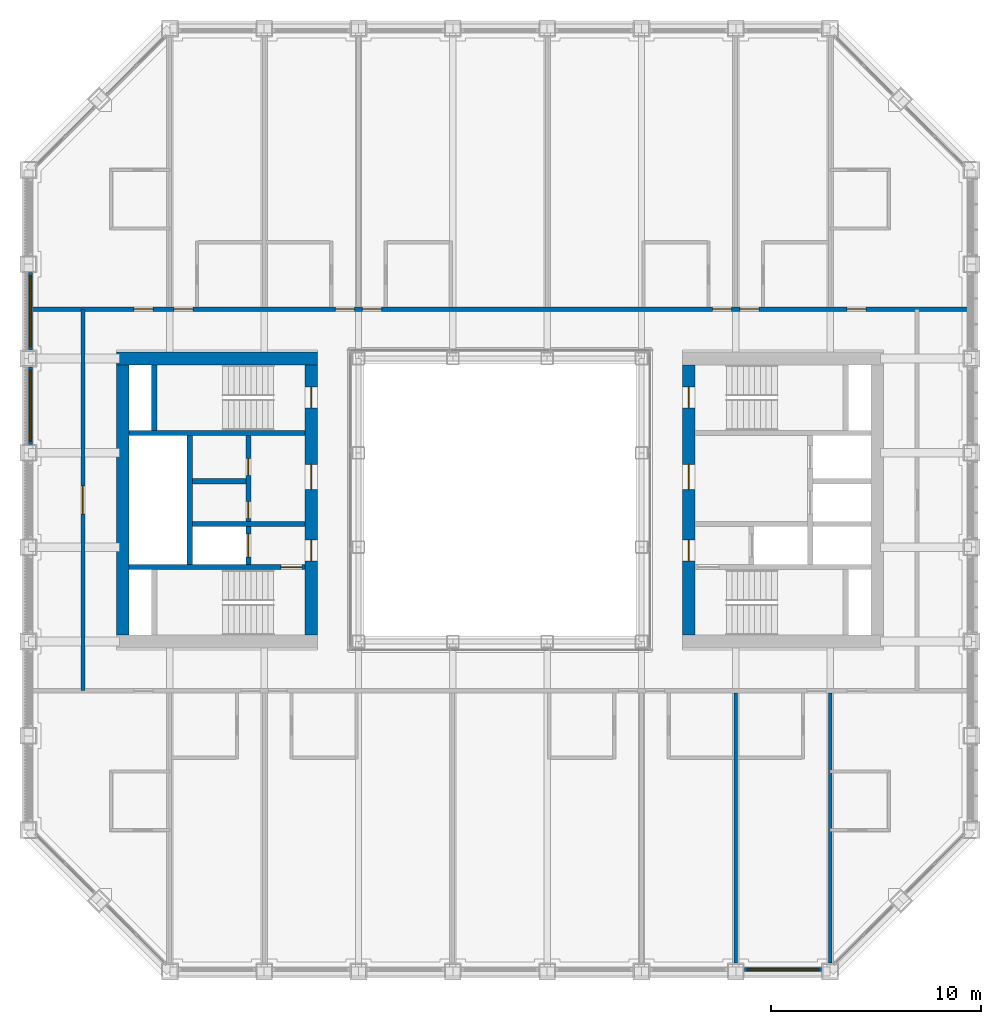
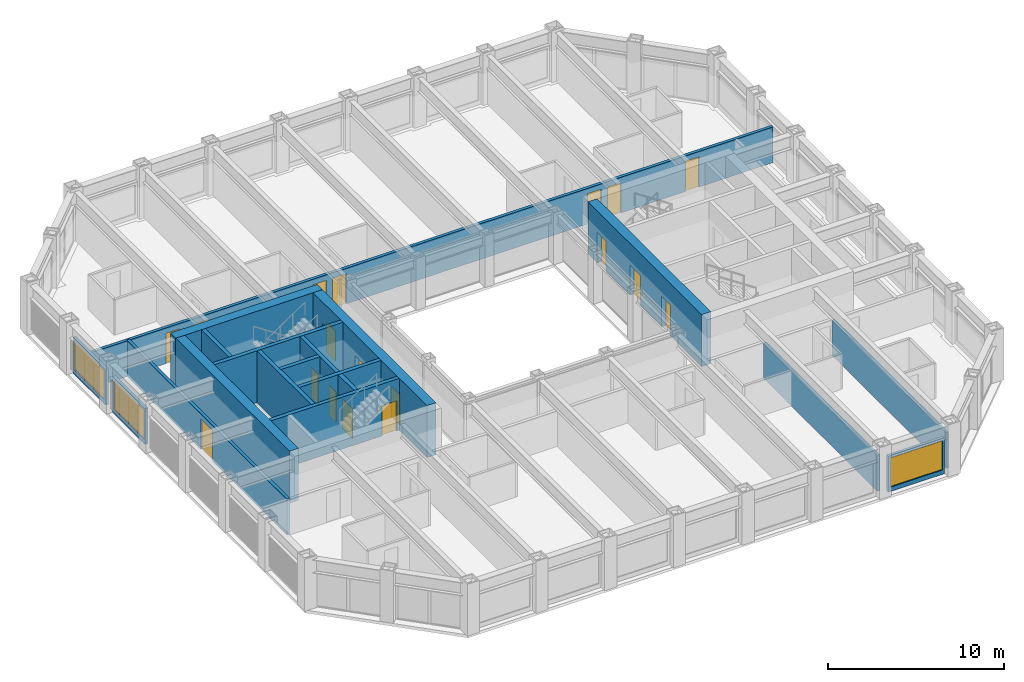
# One storey, part 11 of 17: 18 doors, 18 walls, 3 windows, 21 openings.
"""IFC4 building model written with IfcOpenShell, lengths in metres."""

import ifcopenshell
import ifcopenshell.guid

model = None  # the IFC model being written
_history = None  # IfcOwnerHistory: only IFC2X3 demands one
_inside = {}  # id of a spatial element -> (the spatial element, [elements in it])
_under = {}  # id of a project, library or spatial element -> (it, [spatial elements below it])
_declared = {}  # id of a project -> (the project, [libraries it declares])
_typed = {}  # id of a type object -> (the type object, [elements of that type])
_made_of = {}  # id of a material, layer set ... -> (it, [elements and type objects made of it])


def new_model(schema):
    """Start an empty IFC model of exactly this schema.

    Asked for "IFC4X3", IfcOpenShell would pick the latest addendum, in which some entities
    have other attributes; the version numbers below select the first issue.
    IFC2X3 requires an IfcOwnerHistory on every rooted entity: one is made here for all.
    """
    global model, _history
    if schema == "IFC4X3":
        model = ifcopenshell.file(schema_version=(4, 3, 0, 0))
    else:
        model = ifcopenshell.file(schema=schema)
    _inside.clear()
    _under.clear()
    _declared.clear()
    _typed.clear()
    _made_of.clear()
    _history = None
    if model.schema == "IFC2X3":
        org = make("IfcOrganization", Name="unknown")
        user = make(
            "IfcPersonAndOrganization",
            ThePerson=make("IfcPerson", FamilyName="unknown"),
            TheOrganization=org,
        )
        app = make(
            "IfcApplication",
            ApplicationDeveloper=org,
            Version="unknown",
            ApplicationFullName="unknown",
            ApplicationIdentifier="unknown",
        )
        _history = make(
            "IfcOwnerHistory",
            OwningUser=user,
            OwningApplication=app,
            ChangeAction="ADDED",
            CreationDate=0,
        )
    return model


def make(cls, **values):
    """One entity of the class cls with the attributes given. An attribute that is None is left unset."""
    return model.create_entity(
        cls, **{name: value for name, value in values.items() if value is not None}
    )


def rooted(cls, **values):
    """An entity with a GlobalId (a new one), such as an element, a storey or a relation."""
    return make(cls, GlobalId=ifcopenshell.guid.new(), OwnerHistory=_history, **values)


def si_unit(unit_type, name, prefix=None):
    """IfcSIUnit, for example si_unit("LENGTHUNIT", "METRE", prefix="MILLI")."""
    return make("IfcSIUnit", UnitType=unit_type, Prefix=prefix, Name=name)


def assignment(units):
    """IfcUnitAssignment: the units of a project."""
    return None if units is None else make("IfcUnitAssignment", Units=units)


def point(xyz):
    """IfcCartesianPoint."""
    return None if xyz is None else make("IfcCartesianPoint", Coordinates=xyz)


def direction(xyz):
    """IfcDirection."""
    return None if xyz is None else make("IfcDirection", DirectionRatios=xyz)


def frame(location, z_axis=None, x_axis=None):
    """IfcAxis2Placement3D, a coordinate frame: its origin and axes. An axis left out is left unset."""
    return make(
        "IfcAxis2Placement3D",
        Location=point(location),
        Axis=direction(z_axis),
        RefDirection=direction(x_axis),
    )


def frame_2d(location, x_axis=None):
    """IfcAxis2Placement2D, a coordinate frame in the plane: its origin and x axis."""
    return make(
        "IfcAxis2Placement2D", Location=point(location), RefDirection=direction(x_axis)
    )


def origin():
    """The frame at (0, 0, 0) with its axes left unset."""
    return frame((0.0, 0.0, 0.0))


def place(relative_to, where):
    """IfcLocalPlacement: puts the frame where relative to a parent placement (None: the world)."""
    return make(
        "IfcLocalPlacement", PlacementRelTo=relative_to, RelativePlacement=where
    )


def context(
    kind, dimensions, precision=None, world=None, true_north=None, identifier=None
):
    """IfcGeometricRepresentationContext, for example the 3D "Model" context."""
    return make(
        "IfcGeometricRepresentationContext",
        ContextIdentifier=identifier,
        ContextType=kind,
        CoordinateSpaceDimension=dimensions,
        Precision=precision,
        WorldCoordinateSystem=world,
        TrueNorth=true_north,
    )


def subcontext(parent, identifier, kind, view, scale=None):
    """IfcGeometricRepresentationSubContext, for example "Body" below "Model"."""
    return make(
        "IfcGeometricRepresentationSubContext",
        ContextIdentifier=identifier,
        ContextType=kind,
        ParentContext=parent,
        TargetScale=scale,
        TargetView=view,
    )


def project(units=None, contexts=None):
    """IfcProject with its units and contexts."""
    return rooted(
        "IfcProject",
        Name="project",
        RepresentationContexts=contexts,
        UnitsInContext=assignment(units),
    )


def spatial(cls, under=None, at=None, **own):
    """A site, building, storey or space (cls), placed at a placement, below another one or the project."""
    s = rooted(cls, ObjectPlacement=at, **own)
    if under is not None:
        _under.setdefault(under.id(), (under, []))[1].append(s)
    return s


def profile(cls, at=None, kind="AREA", **sizes):
    """A parametric profile (cls). Its sizes go by their IFC names, for example OverallWidth=200.0."""
    return make(cls, ProfileType=kind, Position=at, **sizes)


def rectangle(**sizes):
    """IfcRectangleProfileDef."""
    return profile("IfcRectangleProfileDef", **sizes)


def extrude(swept, where, along, depth):
    """IfcExtrudedAreaSolid: the profile swept, set in the frame where, extruded along a direction by depth."""
    return make(
        "IfcExtrudedAreaSolid",
        SweptArea=swept,
        Position=where,
        ExtrudedDirection=direction(along),
        Depth=depth,
    )


def shape(context_of_items, identifier, shape_type, items):
    """IfcShapeRepresentation: the items that make up one representation, for example the "Body"."""
    return make(
        "IfcShapeRepresentation",
        ContextOfItems=context_of_items,
        RepresentationIdentifier=identifier,
        RepresentationType=shape_type,
        Items=items,
    )


def material(Name=None, Category=None):
    """IfcMaterial."""
    return make("IfcMaterial", Name=Name, Category=Category)


def layer(
    of_material, thickness, ventilated=None, Name=None, Category=None, Priority=None
):
    """IfcMaterialLayer: one layer of a wall or slab, of a material (None: an air gap)."""
    return make(
        "IfcMaterialLayer",
        Material=of_material,
        LayerThickness=thickness,
        IsVentilated=ventilated,
        Name=Name,
        Category=Category,
        Priority=Priority,
    )


def layer_set(layers, Name=None):
    """IfcMaterialLayerSet."""
    return make("IfcMaterialLayerSet", MaterialLayers=layers, LayerSetName=Name)


def made_of(thing, what):
    """Note that an element or type object is made of a material, layer set ...; save() writes the relation."""
    if what is not None:
        _made_of.setdefault(what.id(), (what, []))[1].append(thing)
    return thing


def type_object(cls, material=None, **own):
    """A type object (cls), such as IfcWallType, which elements share."""
    return made_of(rooted(cls, **own), material)


def element(
    cls,
    number,
    at=None,
    inside=None,
    cuts=None,
    type_object=None,
    material=None,
    context=None,
    identifier="Body",
    shape_type=None,
    held_by="IfcProductDefinitionShape",
    body=None,
    shapes=None,
    **own,
):
    """One element of the class cls, such as IfcWall. Its Tag is "e" and its number.

    at: its placement. inside: the storey or other place that contains it. cuts: it is an
    opening in that element (IfcRelVoidsElement). A single representation is given by context,
    identifier, shape_type and body (its items); several are given by shapes. held_by: the class
    of the entity that holds the representations. save() writes the other relations.
    """
    e = rooted(cls, Tag="e%d" % number, ObjectPlacement=at, **own)
    if body is not None:
        shapes = [shape(context, identifier, shape_type, body)]
    if shapes is not None:
        e.Representation = make(held_by, Representations=shapes)
    if inside is not None:
        _inside.setdefault(inside.id(), (inside, []))[1].append(e)
    if cuts is not None:
        rooted(
            "IfcRelVoidsElement", RelatingBuildingElement=cuts, RelatedOpeningElement=e
        )
    if type_object is not None:
        _typed.setdefault(type_object.id(), (type_object, []))[1].append(e)
    return made_of(e, material)


def fill(opening, filler):
    """IfcRelFillsElement: the door or window that sits in an opening."""
    return rooted(
        "IfcRelFillsElement",
        RelatingOpeningElement=opening,
        RelatedBuildingElement=filler,
    )


def aggregate(whole, parts):
    """IfcRelAggregates: a whole, such as a stair, and the parts it consists of."""
    return rooted("IfcRelAggregates", RelatingObject=whole, RelatedObjects=parts)


def save(model, path):
    """Write the relations noted so far, then the file.

    IfcRelAggregates (storeys below a building ...), IfcRelContainedInSpatialStructure (elements
    in a storey), IfcRelDefinesByType, IfcRelAssociatesMaterial and IfcRelDeclares: one each for
    every whole, place, type object, material and project.
    """
    for whole, parts in _under.values():
        aggregate(whole, parts)
    for where, things in _inside.values():
        rooted(
            "IfcRelContainedInSpatialStructure",
            RelatedElements=things,
            RelatingStructure=where,
        )
    for kind, things in _typed.values():
        rooted("IfcRelDefinesByType", RelatedObjects=things, RelatingType=kind)
    for what, things in _made_of.values():
        rooted("IfcRelAssociatesMaterial", RelatedObjects=things, RelatingMaterial=what)
    for by, libraries in _declared.values():
        rooted("IfcRelDeclares", RelatingContext=by, RelatedDefinitions=libraries)
    model.write(path)


model = new_model("IFC4")

# Units and contexts
model_context = context("Model", 3, precision=1e-05, world=origin(), true_north=direction((0.0, 1.0)))
body_context = subcontext(model_context, "Body", "Model", "MODEL_VIEW")
ifc_project = project(units=[si_unit("LENGTHUNIT", "METRE"), si_unit("AREAUNIT", "SQUARE_METRE"), si_unit("VOLUMEUNIT", "CUBIC_METRE"), si_unit("PLANEANGLEUNIT", "RADIAN"), si_unit("MASSUNIT", "GRAM", prefix="KILO")], contexts=[model_context])

# Site, building, storey
site_placement = place(None, origin())
site = spatial("IfcSite", under=ifc_project, at=site_placement, CompositionType="ELEMENT")
building_placement = place(site_placement, origin())
building = spatial("IfcBuilding", under=site, at=building_placement, Name="Msasa Ring Tower", CompositionType="ELEMENT")
storey_placement = place(building_placement, frame((0.0, 0.0, 129.199951171875)))
storey = spatial("IfcBuildingStorey", under=building, at=storey_placement, Name="L33", CompositionType="ELEMENT", Elevation=129.199951171875)

# Wall, openings, doors
ifc_material_1 = material(Name="Concrete C60/75", Category="concrete")
ifc_layer_1 = layer(ifc_material_1, 0.60009765625)
ifc_layer_set_1 = layer_set([ifc_layer_1], Name="CW2 CORE WALL 600")
wall_type_1 = type_object("IfcWallType", Name="CW2 CORE WALL 600", PredefinedType="SHEAR", material=ifc_layer_set_1)
wall_1_placement = place(storey_placement, frame((9.0, -6.449951171875, 0.0), z_axis=(0.0, 0.0, 1.0), x_axis=(0.0, 1.0, 0.0)))
wall_1 = element("IfcWall", 1, at=wall_1_placement, inside=storey, type_object=wall_type_1, Name="E core wall W L33", PredefinedType="SHEAR", context=body_context, shape_type="SweptSolid", body=[
    extrude(rectangle(XDim=12.89990234375, YDim=0.60009765625, at=frame_2d((6.449951171875, 0.0))), origin(), (0.0, 0.0, 1.0), 3.60009765625),
])
opening_1_placement = place(wall_1_placement, frame((3.550048828125, 0.0, 0.0)))
opening_1 = element("IfcOpeningElement", 2, at=opening_1_placement, cuts=wall_1, Name="Opening HB-024", PredefinedType="OPENING", context=body_context, shape_type="SweptSolid", body=[
    extrude(rectangle(XDim=1.0, YDim=2.10009765625, at=frame_2d((0.5, 1.050048828125))), frame((0.0, 0.31005859375, 0.0), z_axis=(0.0, -1.0, 0.0), x_axis=(1.0, 0.0, 0.0)), (0.0, 0.0, 1.0), 0.6201171875),
])
opening_2_placement = place(wall_1_placement, frame((6.949951171875, 0.0, 0.0)))
opening_2 = element("IfcOpeningElement", 3, at=opening_2_placement, cuts=wall_1, Name="Opening HB-019", PredefinedType="OPENING", context=body_context, shape_type="SweptSolid", body=[
    extrude(rectangle(XDim=1.199951171875, YDim=2.10009765625, at=frame_2d((0.60009765625, 1.050048828125))), frame((0.0, 0.31005859375, 0.0), z_axis=(0.0, -1.0, 0.0), x_axis=(1.0, 0.0, 0.0)), (0.0, 0.0, 1.0), 0.6201171875),
])
opening_3_placement = place(wall_1_placement, frame((10.85009765625, 0.0, 0.0)))
opening_3 = element("IfcOpeningElement", 4, at=opening_3_placement, cuts=wall_1, Name="Opening HB-016", PredefinedType="OPENING", context=body_context, shape_type="SweptSolid", body=[
    extrude(rectangle(XDim=1.0, YDim=2.10009765625, at=frame_2d((0.5, 1.050048828125))), frame((0.0, 0.31005859375, 0.0), z_axis=(0.0, -1.0, 0.0), x_axis=(1.0, 0.0, 0.0)), (0.0, 0.0, 1.0), 0.6201171875),
])
ifc_material_2 = material(Name="Timber door leaf in a steel frame", Category="steel")
door_type_1 = type_object("IfcDoorType", Name="D4 LOBBY DOOR 1000x2100", OperationType="SINGLE_SWING_LEFT", PredefinedType="DOOR", material=ifc_material_2)
door_1_placement = place(opening_1_placement, origin())
door_1 = element("IfcDoor", 5, at=door_1_placement, inside=storey, type_object=door_type_1, Name="Door L33-EFFL", OperationType="SINGLE_SWING_LEFT", OverallHeight=2.10009765625, OverallWidth=1.0, PredefinedType="DOOR", context=body_context, shape_type="SweptSolid", body=[
    extrude(rectangle(XDim=1.0, YDim=2.10009765625, at=frame_2d((0.5, 1.050048828125))), frame((0.0, 0.02490234375, 0.0), z_axis=(0.0, -1.0, 0.0), x_axis=(1.0, 0.0, 0.0)), (0.0, 0.0, 1.0), 0.050048828125),
])
fill(opening_1, door_1)
ifc_material_3 = material(Name="Timber door leaf in a steel frame", Category="steel")
door_type_2 = type_object("IfcDoorType", Name="D5 WIDE LOBBY DOOR 1200x2100", OperationType="SINGLE_SWING_LEFT", PredefinedType="DOOR", material=ifc_material_3)
door_2_placement = place(opening_2_placement, origin())
door_2 = element("IfcDoor", 6, at=door_2_placement, inside=storey, type_object=door_type_2, Name="Door L33-ELL", OperationType="SINGLE_SWING_RIGHT", OverallHeight=2.10009765625, OverallWidth=1.199951171875, PredefinedType="DOOR", context=body_context, shape_type="SweptSolid", body=[
    extrude(rectangle(XDim=1.199951171875, YDim=2.10009765625, at=frame_2d((0.60009765625, 1.050048828125))), frame((0.0, 0.02490234375, 0.0), z_axis=(0.0, -1.0, 0.0), x_axis=(1.0, 0.0, 0.0)), (0.0, 0.0, 1.0), 0.050048828125),
])
fill(opening_2, door_2)
ifc_material_4 = material(Name="Timber door leaf in a steel frame", Category="steel")
door_type_3 = type_object("IfcDoorType", Name="D6 STAIR DOOR 1000x2100", OperationType="SINGLE_SWING_LEFT", PredefinedType="DOOR", material=ifc_material_4)
door_3_placement = place(opening_3_placement, origin())
door_3 = element("IfcDoor", 7, at=door_3_placement, inside=storey, type_object=door_type_3, Name="Door L33-ESTB", OperationType="SINGLE_SWING_RIGHT", OverallHeight=2.10009765625, OverallWidth=1.0, PredefinedType="DOOR", context=body_context, shape_type="SweptSolid", body=[
    extrude(rectangle(XDim=1.0, YDim=2.10009765625, at=frame_2d((0.5, 1.050048828125))), frame((0.0, 0.02490234375, 0.0), z_axis=(0.0, -1.0, 0.0), x_axis=(1.0, 0.0, 0.0)), (0.0, 0.0, 1.0), 0.050048828125),
])
fill(opening_3, door_3)

# Wall
wall_2_placement = place(storey_placement, frame((-8.699951171875, 6.75, 0.0), z_axis=(0.0, 0.0, 1.0), x_axis=(-1.0, 0.0, 0.0)))
element("IfcWall", 8, at=wall_2_placement, inside=storey, type_object=wall_type_1, Name="W core wall N L33", PredefinedType="SHEAR", context=body_context, shape_type="SweptSolid", body=[
    extrude(rectangle(XDim=9.60009765625, YDim=0.60009765625, at=frame_2d((4.800048828125, 0.0))), origin(), (0.0, 0.0, 1.0), 3.60009765625),
])

# Wall, openings, doors
wall_3_placement = place(storey_placement, frame((-9.0, -6.449951171875, 0.0), z_axis=(0.0, 0.0, 1.0), x_axis=(0.0, 1.0, 0.0)))
wall_3 = element("IfcWall", 9, at=wall_3_placement, inside=storey, type_object=wall_type_1, Name="W core wall W L33", PredefinedType="SHEAR", context=body_context, shape_type="SweptSolid", body=[
    extrude(rectangle(XDim=12.89990234375, YDim=0.60009765625, at=frame_2d((6.449951171875, 0.0))), origin(), (0.0, 0.0, 1.0), 3.60009765625),
])
opening_4_placement = place(wall_3_placement, frame((3.550048828125, 0.0, 0.0)))
opening_4 = element("IfcOpeningElement", 10, at=opening_4_placement, cuts=wall_3, Name="Opening HB-023", PredefinedType="OPENING", context=body_context, shape_type="SweptSolid", body=[
    extrude(rectangle(XDim=1.0, YDim=2.10009765625, at=frame_2d((0.5, 1.050048828125))), frame((0.0, 0.31005859375, 0.0), z_axis=(0.0, -1.0, 0.0), x_axis=(1.0, 0.0, 0.0)), (0.0, 0.0, 1.0), 0.6201171875),
])
opening_5_placement = place(wall_3_placement, frame((6.949951171875, 0.0, 0.0)))
opening_5 = element("IfcOpeningElement", 11, at=opening_5_placement, cuts=wall_3, Name="Opening HB-018", PredefinedType="OPENING", context=body_context, shape_type="SweptSolid", body=[
    extrude(rectangle(XDim=1.199951171875, YDim=2.10009765625, at=frame_2d((0.60009765625, 1.050048828125))), frame((0.0, 0.31005859375, 0.0), z_axis=(0.0, -1.0, 0.0), x_axis=(1.0, 0.0, 0.0)), (0.0, 0.0, 1.0), 0.6201171875),
])
opening_6_placement = place(wall_3_placement, frame((10.85009765625, 0.0, 0.0)))
opening_6 = element("IfcOpeningElement", 12, at=opening_6_placement, cuts=wall_3, Name="Opening HB-015", PredefinedType="OPENING", context=body_context, shape_type="SweptSolid", body=[
    extrude(rectangle(XDim=1.0, YDim=2.10009765625, at=frame_2d((0.5, 1.050048828125))), frame((0.0, 0.31005859375, 0.0), z_axis=(0.0, -1.0, 0.0), x_axis=(1.0, 0.0, 0.0)), (0.0, 0.0, 1.0), 0.6201171875),
])
door_4_placement = place(opening_4_placement, origin())
door_4 = element("IfcDoor", 13, at=door_4_placement, inside=storey, type_object=door_type_1, Name="Door L33-WFFL", OperationType="SINGLE_SWING_LEFT", OverallHeight=2.10009765625, OverallWidth=1.0, PredefinedType="DOOR", context=body_context, shape_type="SweptSolid", body=[
    extrude(rectangle(XDim=1.0, YDim=2.10009765625, at=frame_2d((0.5, 1.050048828125))), frame((0.0, 0.02490234375, 0.0), z_axis=(0.0, -1.0, 0.0), x_axis=(1.0, 0.0, 0.0)), (0.0, 0.0, 1.0), 0.050048828125),
])
fill(opening_4, door_4)
door_5_placement = place(opening_5_placement, origin())
door_5 = element("IfcDoor", 14, at=door_5_placement, inside=storey, type_object=door_type_2, Name="Door L33-WLL", OperationType="SINGLE_SWING_RIGHT", OverallHeight=2.10009765625, OverallWidth=1.199951171875, PredefinedType="DOOR", context=body_context, shape_type="SweptSolid", body=[
    extrude(rectangle(XDim=1.199951171875, YDim=2.10009765625, at=frame_2d((0.60009765625, 1.050048828125))), frame((0.0, 0.02490234375, 0.0), z_axis=(0.0, -1.0, 0.0), x_axis=(1.0, 0.0, 0.0)), (0.0, 0.0, 1.0), 0.050048828125),
])
fill(opening_5, door_5)
door_6_placement = place(opening_6_placement, origin())
door_6 = element("IfcDoor", 15, at=door_6_placement, inside=storey, type_object=door_type_3, Name="Door L33-WSTB", OperationType="SINGLE_SWING_RIGHT", OverallHeight=2.10009765625, OverallWidth=1.0, PredefinedType="DOOR", context=body_context, shape_type="SweptSolid", body=[
    extrude(rectangle(XDim=1.0, YDim=2.10009765625, at=frame_2d((0.5, 1.050048828125))), frame((0.0, 0.02490234375, 0.0), z_axis=(0.0, -1.0, 0.0), x_axis=(1.0, 0.0, 0.0)), (0.0, 0.0, 1.0), 0.050048828125),
])
fill(opening_6, door_6)

# Wall
wall_4_placement = place(storey_placement, frame((-18.0, -6.449951171875, 0.0), z_axis=(0.0, 0.0, 1.0), x_axis=(0.0, 1.0, 0.0)))
element("IfcWall", 16, at=wall_4_placement, inside=storey, type_object=wall_type_1, Name="W core wall E L33", PredefinedType="SHEAR", context=body_context, shape_type="SweptSolid", body=[
    extrude(rectangle(XDim=12.89990234375, YDim=0.60009765625, at=frame_2d((6.449951171875, 0.0))), origin(), (0.0, 0.0, 1.0), 3.60009765625),
])

# Wall, opening, door
ifc_material_5 = material(Name="Concrete C60/75", Category="concrete")
ifc_layer_2 = layer(ifc_material_5, 0.25)
ifc_layer_set_2 = layer_set([ifc_layer_2], Name="CW4 CORE INNER WALL 250")
wall_type_2 = type_object("IfcWallType", Name="CW4 CORE INNER WALL 250", PredefinedType="SHEAR", material=ifc_layer_set_2)
wall_5_placement = place(storey_placement, frame((-9.300048828125, -3.199951171875, 0.0), z_axis=(0.0, 0.0, 1.0), x_axis=(-1.0, 0.0, 0.0)))
wall_5 = element("IfcWall", 17, at=wall_5_placement, inside=storey, type_object=wall_type_2, Name="W core wall STAIRA L33", PredefinedType="SHEAR", context=body_context, shape_type="SweptSolid", body=[
    extrude(rectangle(XDim=8.39990234375, YDim=0.25, at=frame_2d((4.199951171875, 0.0))), origin(), (0.0, 0.0, 1.0), 3.60009765625),
])
opening_7_placement = place(wall_5_placement, frame((0.14990234375, 0.0, 0.0)))
opening_7 = element("IfcOpeningElement", 18, at=opening_7_placement, cuts=wall_5, Name="Opening HB-025", PredefinedType="OPENING", context=body_context, shape_type="SweptSolid", body=[
    extrude(rectangle(XDim=1.0, YDim=2.10009765625, at=frame_2d((0.5, 1.050048828125))), frame((0.0, 0.135009765625, 0.0), z_axis=(0.0, -1.0, 0.0), x_axis=(1.0, 0.0, 0.0)), (0.0, 0.0, 1.0), 0.27001953125),
])
door_7_placement = place(opening_7_placement, origin())
door_7 = element("IfcDoor", 19, at=door_7_placement, inside=storey, type_object=door_type_3, Name="Door L33-WSTA", OperationType="SINGLE_SWING_LEFT", OverallHeight=2.10009765625, OverallWidth=1.0, PredefinedType="DOOR", context=body_context, shape_type="SweptSolid", body=[
    extrude(rectangle(XDim=1.0, YDim=2.10009765625, at=frame_2d((0.5, 1.050048828125))), frame((0.0, 0.02490234375, 0.0), z_axis=(0.0, -1.0, 0.0), x_axis=(1.0, 0.0, 0.0)), (0.0, 0.0, 1.0), 0.050048828125),
])
fill(opening_7, door_7)

# Walls
wall_6_placement = place(storey_placement, frame((-9.300048828125, 3.199951171875, 0.0), z_axis=(0.0, 0.0, 1.0), x_axis=(-1.0, 0.0, 0.0)))
element("IfcWall", 20, at=wall_6_placement, inside=storey, type_object=wall_type_2, Name="W core wall STAIRB L33", PredefinedType="SHEAR", context=body_context, shape_type="SweptSolid", body=[
    extrude(rectangle(XDim=8.39990234375, YDim=0.25, at=frame_2d((4.199951171875, 0.0))), origin(), (0.0, 0.0, 1.0), 3.60009765625),
])
wall_7_placement = place(storey_placement, frame((-16.5, 3.324951171875, 0.0), z_axis=(0.0, 0.0, 1.0), x_axis=(0.0, 1.0, 0.0)))
element("IfcWall", 21, at=wall_7_placement, inside=storey, type_object=wall_type_2, Name="W core wall RISERB L33", PredefinedType="SHEAR", context=body_context, shape_type="SweptSolid", body=[
    extrude(rectangle(XDim=3.125, YDim=0.25, at=frame_2d((1.5625, 0.0))), origin(), (0.0, 0.0, 1.0), 3.60009765625),
])
wall_8_placement = place(storey_placement, frame((-9.300048828125, -1.14990234375, 0.0), z_axis=(0.0, 0.0, 1.0), x_axis=(-1.0, 0.0, 0.0)))
element("IfcWall", 22, at=wall_8_placement, inside=storey, type_object=wall_type_2, Name="W core wall FFL L33", PredefinedType="SHEAR", context=body_context, shape_type="SweptSolid", body=[
    extrude(rectangle(XDim=5.375, YDim=0.25, at=frame_2d((2.6875, 0.0))), origin(), (0.0, 0.0, 1.0), 3.60009765625),
])

# Wall, openings, doors
wall_9_placement = place(storey_placement, frame((-12.0, -3.074951171875, 0.0), z_axis=(0.0, 0.0, 1.0), x_axis=(0.0, 1.0, 0.0)))
wall_9 = element("IfcWall", 23, at=wall_9_placement, inside=storey, type_object=wall_type_2, Name="W core wall LOBBY L33", PredefinedType="SHEAR", context=body_context, shape_type="SweptSolid", body=[
    extrude(rectangle(XDim=6.14990234375, YDim=0.25, at=frame_2d((3.074951171875, 0.0))), origin(), (0.0, 0.0, 1.0), 3.60009765625),
])
opening_8_placement = place(wall_9_placement, frame((2.199951171875, 0.0, 0.0)))
opening_8 = element("IfcOpeningElement", 24, at=opening_8_placement, cuts=wall_9, Name="Opening HB-022", PredefinedType="OPENING", context=body_context, shape_type="SweptSolid", body=[
    extrude(rectangle(XDim=0.800048828125, YDim=2.10009765625, at=frame_2d((0.39990234375, 1.050048828125))), frame((0.0, 0.135009765625, 0.0), z_axis=(0.0, -1.0, 0.0), x_axis=(1.0, 0.0, 0.0)), (0.0, 0.0, 1.0), 0.27001953125),
])
opening_9_placement = place(wall_9_placement, frame((4.25, 0.0, 0.0)))
opening_9 = element("IfcOpeningElement", 25, at=opening_9_placement, cuts=wall_9, Name="Opening HB-017", PredefinedType="OPENING", context=body_context, shape_type="SweptSolid", body=[
    extrude(rectangle(XDim=0.800048828125, YDim=2.10009765625, at=frame_2d((0.39990234375, 1.050048828125))), frame((0.0, 0.135009765625, 0.0), z_axis=(0.0, -1.0, 0.0), x_axis=(1.0, 0.0, 0.0)), (0.0, 0.0, 1.0), 0.27001953125),
])
opening_10_placement = place(wall_9_placement, frame((0.35009765625, 0.0, 0.0)))
opening_10 = element("IfcOpeningElement", 26, at=opening_10_placement, cuts=wall_9, Name="Opening LD1", PredefinedType="OPENING", context=body_context, shape_type="SweptSolid", body=[
    extrude(rectangle(XDim=1.10009765625, YDim=2.10009765625, at=frame_2d((0.550048828125, 1.050048828125))), frame((0.0, 0.135009765625, 0.0), z_axis=(0.0, -1.0, 0.0), x_axis=(1.0, 0.0, 0.0)), (0.0, 0.0, 1.0), 0.27001953125),
])
ifc_material_6 = material(Name="Timber door leaf in a steel frame", Category="steel")
door_type_4 = type_object("IfcDoorType", Name="D9 NARROW SERVICE DOOR 800x2100", OperationType="SINGLE_SWING_LEFT", PredefinedType="DOOR", material=ifc_material_6)
door_8_placement = place(opening_8_placement, origin())
door_8 = element("IfcDoor", 27, at=door_8_placement, inside=storey, type_object=door_type_4, Name="Door L33-WR1", OperationType="SINGLE_SWING_LEFT", OverallHeight=2.10009765625, OverallWidth=0.800048828125, PredefinedType="DOOR", context=body_context, shape_type="SweptSolid", body=[
    extrude(rectangle(XDim=0.800048828125, YDim=2.10009765625, at=frame_2d((0.39990234375, 1.050048828125))), frame((0.0, 0.02490234375, 0.0), z_axis=(0.0, -1.0, 0.0), x_axis=(1.0, 0.0, 0.0)), (0.0, 0.0, 1.0), 0.050048828125),
])
fill(opening_8, door_8)
door_9_placement = place(opening_9_placement, origin())
door_9 = element("IfcDoor", 28, at=door_9_placement, inside=storey, type_object=door_type_4, Name="Door L33-WR2", OperationType="SINGLE_SWING_RIGHT", OverallHeight=2.10009765625, OverallWidth=0.800048828125, PredefinedType="DOOR", context=body_context, shape_type="SweptSolid", body=[
    extrude(rectangle(XDim=0.800048828125, YDim=2.10009765625, at=frame_2d((0.39990234375, 1.050048828125))), frame((0.0, 0.02490234375, 0.0), z_axis=(0.0, -1.0, 0.0), x_axis=(1.0, 0.0, 0.0)), (0.0, 0.0, 1.0), 0.050048828125),
])
fill(opening_9, door_9)
ifc_material_7 = material(Name="Stainless steel lift landing door", Category="steel")
door_type_5 = type_object("IfcDoorType", Name="LD1 LIFT LANDING DOOR 1100x2100", OperationType="DOUBLE_DOOR_SLIDING", PredefinedType="DOOR", material=ifc_material_7)
door_10_placement = place(opening_10_placement, origin())
door_10 = element("IfcDoor", 29, at=door_10_placement, inside=storey, type_object=door_type_5, Name="Lift landing door FL-W L33", OperationType="DOUBLE_DOOR_SLIDING", OverallHeight=2.10009765625, OverallWidth=1.10009765625, PredefinedType="DOOR", context=body_context, shape_type="SweptSolid", body=[
    extrude(rectangle(XDim=1.10009765625, YDim=2.10009765625, at=frame_2d((0.550048828125, 1.050048828125))), frame((0.0, 0.02490234375, 0.0), z_axis=(0.0, -1.0, 0.0), x_axis=(1.0, 0.0, 0.0)), (0.0, 0.0, 1.0), 0.050048828125),
])
fill(opening_10, door_10)

# Walls
wall_10_placement = place(storey_placement, frame((-14.800048828125, -3.074951171875, 0.0), z_axis=(0.0, 0.0, 1.0), x_axis=(0.0, 1.0, 0.0)))
element("IfcWall", 30, at=wall_10_placement, inside=storey, type_object=wall_type_2, Name="W core wall SHAFT L33", PredefinedType="SHEAR", context=body_context, shape_type="SweptSolid", body=[
    extrude(rectangle(XDim=6.14990234375, YDim=0.25, at=frame_2d((3.074951171875, 0.0))), origin(), (0.0, 0.0, 1.0), 3.60009765625),
])
wall_11_placement = place(storey_placement, frame((-12.125, 0.89990234375, 0.0), z_axis=(0.0, 0.0, 1.0), x_axis=(-1.0, 0.0, 0.0)))
element("IfcWall", 31, at=wall_11_placement, inside=storey, type_object=wall_type_2, Name="W core wall LIFT1 L33", PredefinedType="SHEAR", context=body_context, shape_type="SweptSolid", body=[
    extrude(rectangle(XDim=2.550048828125, YDim=0.25, at=frame_2d((1.27490234375, 0.0))), origin(), (0.0, 0.0, 1.0), 3.60009765625),
])

# Wall, opening, window
ifc_material_8 = material(Name="Terracotta rainscreen on blockwork", Category="masonry")
ifc_layer_3 = layer(ifc_material_8, 0.199951171875)
ifc_layer_set_3 = layer_set([ifc_layer_3], Name="FW1 TERRACOTTA-LINED INFILL BAY WALL 200")
wall_type_3 = type_object("IfcWallType", Name="FW1 TERRACOTTA-LINED INFILL BAY WALL 200", PredefinedType="SOLIDWALL", material=ifc_layer_set_3)
wall_12_placement = place(storey_placement, frame((11.655029296875, -22.39990234375, 0.0), z_axis=(0.0, 0.0, 1.0), x_axis=(1.0, 0.0, 0.0)))
wall_12 = element("IfcWall", 32, at=wall_12_placement, inside=storey, type_object=wall_type_3, Name="Infill bay wall S L33 06", PredefinedType="SOLIDWALL", context=body_context, shape_type="SweptSolid", body=[
    extrude(rectangle(XDim=3.68994140625, YDim=0.199951171875, at=frame_2d((1.844970703125, 0.0))), origin(), (0.0, 0.0, 1.0), 2.47900390625),
])
opening_11_placement = place(wall_12_placement, frame((0.14501953125, 0.0, 0.300048828125)))
opening_11 = element("IfcOpeningElement", 33, at=opening_11_placement, cuts=wall_12, Name="Opening WN2", PredefinedType="OPENING", context=body_context, shape_type="SweptSolid", body=[
    extrude(rectangle(XDim=3.39990234375, YDim=2.029052734375, at=frame_2d((1.699951171875, 1.0146484375))), frame((0.0, 0.10986328125, 0.0), z_axis=(0.0, -1.0, 0.0), x_axis=(1.0, 0.0, 0.0)), (0.0, 0.0, 1.0), 0.219970703125),
])
ifc_material_9 = material(Name="Aluminium frame with clear glass", Category="aluminium")
window_type = type_object("IfcWindowType", Name="WN2 GUEST ROOM WINDOW 3400x2029", PartitioningType="SINGLE_PANEL", PredefinedType="WINDOW", material=ifc_material_9)
window_1_placement = place(opening_11_placement, origin())
window_1 = element("IfcWindow", 34, at=window_1_placement, inside=storey, type_object=window_type, Name="Window S L33 06", OverallHeight=2.029052734375, OverallWidth=3.39990234375, PartitioningType="SINGLE_PANEL", PredefinedType="WINDOW", context=body_context, shape_type="SweptSolid", body=[
    extrude(rectangle(XDim=3.39990234375, YDim=2.029052734375, at=frame_2d((1.699951171875, 1.0146484375))), frame((0.0, 0.030029296875, 0.0), z_axis=(0.0, -1.0, 0.0), x_axis=(1.0, 0.0, 0.0)), (0.0, 0.0, 1.0), 0.06005859375),
])
fill(opening_11, window_1)

wall_13_placement = place(storey_placement, frame((-22.39990234375, 2.655029296875, 0.0), z_axis=(0.0, 0.0, 1.0), x_axis=(0.0, 1.0, 0.0)))
wall_13 = element("IfcWall", 35, at=wall_13_placement, inside=storey, type_object=wall_type_3, Name="Infill bay wall W L33 31", PredefinedType="SOLIDWALL", context=body_context, shape_type="SweptSolid", body=[
    extrude(rectangle(XDim=3.68994140625, YDim=0.199951171875, at=frame_2d((1.844970703125, 0.0))), origin(), (0.0, 0.0, 1.0), 2.47900390625),
])
opening_12_placement = place(wall_13_placement, frame((0.14501953125, 0.0, 0.300048828125)))
opening_12 = element("IfcOpeningElement", 36, at=opening_12_placement, cuts=wall_13, Name="Opening WN2", PredefinedType="OPENING", context=body_context, shape_type="SweptSolid", body=[
    extrude(rectangle(XDim=3.39990234375, YDim=2.029052734375, at=frame_2d((1.699951171875, 1.0146484375))), frame((0.0, 0.10986328125, 0.0), z_axis=(0.0, -1.0, 0.0), x_axis=(1.0, 0.0, 0.0)), (0.0, 0.0, 1.0), 0.219970703125),
])
window_2_placement = place(opening_12_placement, origin())
window_2 = element("IfcWindow", 37, at=window_2_placement, inside=storey, type_object=window_type, Name="Window W L33 31", OverallHeight=2.029052734375, OverallWidth=3.39990234375, PartitioningType="SINGLE_PANEL", PredefinedType="WINDOW", context=body_context, shape_type="SweptSolid", body=[
    extrude(rectangle(XDim=3.39990234375, YDim=2.029052734375, at=frame_2d((1.699951171875, 1.0146484375))), frame((0.0, 0.030029296875, 0.0), z_axis=(0.0, -1.0, 0.0), x_axis=(1.0, 0.0, 0.0)), (0.0, 0.0, 1.0), 0.06005859375),
])
fill(opening_12, window_2)

wall_14_placement = place(storey_placement, frame((-22.39990234375, 7.155029296875, 0.0), z_axis=(0.0, 0.0, 1.0), x_axis=(0.0, 1.0, 0.0)))
wall_14 = element("IfcWall", 38, at=wall_14_placement, inside=storey, type_object=wall_type_3, Name="Infill bay wall W L33 32", PredefinedType="SOLIDWALL", context=body_context, shape_type="SweptSolid", body=[
    extrude(rectangle(XDim=3.68994140625, YDim=0.199951171875, at=frame_2d((1.844970703125, 0.0))), origin(), (0.0, 0.0, 1.0), 2.47900390625),
])
opening_13_placement = place(wall_14_placement, frame((0.14501953125, 0.0, 0.300048828125)))
opening_13 = element("IfcOpeningElement", 39, at=opening_13_placement, cuts=wall_14, Name="Opening WN2", PredefinedType="OPENING", context=body_context, shape_type="SweptSolid", body=[
    extrude(rectangle(XDim=3.39990234375, YDim=2.029052734375, at=frame_2d((1.699951171875, 1.0146484375))), frame((0.0, 0.10986328125, 0.0), z_axis=(0.0, -1.0, 0.0), x_axis=(1.0, 0.0, 0.0)), (0.0, 0.0, 1.0), 0.219970703125),
])
window_3_placement = place(opening_13_placement, origin())
window_3 = element("IfcWindow", 40, at=window_3_placement, inside=storey, type_object=window_type, Name="Window W L33 32", OverallHeight=2.029052734375, OverallWidth=3.39990234375, PartitioningType="SINGLE_PANEL", PredefinedType="WINDOW", context=body_context, shape_type="SweptSolid", body=[
    extrude(rectangle(XDim=3.39990234375, YDim=2.029052734375, at=frame_2d((1.699951171875, 1.0146484375))), frame((0.0, 0.030029296875, 0.0), z_axis=(0.0, -1.0, 0.0), x_axis=(1.0, 0.0, 0.0)), (0.0, 0.0, 1.0), 0.06005859375),
])
fill(opening_13, window_3)

# Wall, openings, doors
ifc_material_10 = material(Name="Concrete blockwork", Category="masonry")
ifc_layer_4 = layer(ifc_material_10, 0.199951171875)
ifc_layer_set_4 = layer_set([ifc_layer_4], Name="PT1 CORRIDOR WALL 200")
wall_type_4 = type_object("IfcWallType", Name="PT1 CORRIDOR WALL 200", PredefinedType="PARTITIONING", material=ifc_layer_set_4)
wall_15_placement = place(storey_placement, frame((-22.300048828125, 9.10009765625, 0.0), z_axis=(0.0, 0.0, 1.0), x_axis=(1.0, 0.0, 0.0)))
wall_15 = element("IfcWall", 41, at=wall_15_placement, inside=storey, type_object=wall_type_4, Name="Corridor wall L33-CORRN0", PredefinedType="PARTITIONING", context=body_context, shape_type="SweptSolid", body=[
    extrude(rectangle(XDim=44.60009765625, YDim=0.199951171875, at=frame_2d((22.300048828125, 0.0))), origin(), (0.0, 0.0, 1.0), 2.473388671875),
])
opening_14_placement = place(wall_15_placement, frame((6.75, 0.0, 0.0)))
opening_14 = element("IfcOpeningElement", 42, at=opening_14_placement, cuts=wall_15, Name="Opening HB-009", PredefinedType="OPENING", context=body_context, shape_type="SweptSolid", body=[
    extrude(rectangle(XDim=0.89990234375, YDim=2.10009765625, at=frame_2d((0.449951171875, 1.050048828125))), frame((0.0, 0.10986328125, 0.0), z_axis=(0.0, -1.0, 0.0), x_axis=(1.0, 0.0, 0.0)), (0.0, 0.0, 1.0), 0.219970703125),
])
opening_15_placement = place(wall_15_placement, frame((14.449951171875, 0.0, 0.0)))
opening_15 = element("IfcOpeningElement", 43, at=opening_15_placement, cuts=wall_15, Name="Opening HB-010", PredefinedType="OPENING", context=body_context, shape_type="SweptSolid", body=[
    extrude(rectangle(XDim=0.89990234375, YDim=2.10009765625, at=frame_2d((0.449951171875, 1.050048828125))), frame((0.0, 0.10986328125, 0.0), z_axis=(0.0, -1.0, 0.0), x_axis=(1.0, 0.0, 0.0)), (0.0, 0.0, 1.0), 0.219970703125),
])
opening_16_placement = place(wall_15_placement, frame((15.75, 0.0, 0.0)))
opening_16 = element("IfcOpeningElement", 44, at=opening_16_placement, cuts=wall_15, Name="Opening HB-011", PredefinedType="OPENING", context=body_context, shape_type="SweptSolid", body=[
    extrude(rectangle(XDim=0.89990234375, YDim=2.10009765625, at=frame_2d((0.449951171875, 1.050048828125))), frame((0.0, 0.10986328125, 0.0), z_axis=(0.0, -1.0, 0.0), x_axis=(1.0, 0.0, 0.0)), (0.0, 0.0, 1.0), 0.219970703125),
])
opening_17_placement = place(wall_15_placement, frame((32.449951171875, 0.0, 0.0)))
opening_17 = element("IfcOpeningElement", 45, at=opening_17_placement, cuts=wall_15, Name="Opening HB-012", PredefinedType="OPENING", context=body_context, shape_type="SweptSolid", body=[
    extrude(rectangle(XDim=0.89990234375, YDim=2.10009765625, at=frame_2d((0.449951171875, 1.050048828125))), frame((0.0, 0.10986328125, 0.0), z_axis=(0.0, -1.0, 0.0), x_axis=(1.0, 0.0, 0.0)), (0.0, 0.0, 1.0), 0.219970703125),
])
opening_18_placement = place(wall_15_placement, frame((33.75, 0.0, 0.0)))
opening_18 = element("IfcOpeningElement", 46, at=opening_18_placement, cuts=wall_15, Name="Opening HB-013", PredefinedType="OPENING", context=body_context, shape_type="SweptSolid", body=[
    extrude(rectangle(XDim=0.89990234375, YDim=2.10009765625, at=frame_2d((0.449951171875, 1.050048828125))), frame((0.0, 0.10986328125, 0.0), z_axis=(0.0, -1.0, 0.0), x_axis=(1.0, 0.0, 0.0)), (0.0, 0.0, 1.0), 0.219970703125),
])
opening_19_placement = place(wall_15_placement, frame((38.85009765625, 0.0, 0.0)))
opening_19 = element("IfcOpeningElement", 47, at=opening_19_placement, cuts=wall_15, Name="Opening HB-014", PredefinedType="OPENING", context=body_context, shape_type="SweptSolid", body=[
    extrude(rectangle(XDim=0.89990234375, YDim=2.10009765625, at=frame_2d((0.449951171875, 1.050048828125))), frame((0.0, 0.10986328125, 0.0), z_axis=(0.0, -1.0, 0.0), x_axis=(1.0, 0.0, 0.0)), (0.0, 0.0, 1.0), 0.219970703125),
])
opening_20_placement = place(wall_15_placement, frame((4.85009765625, 0.0, 0.0)))
opening_20 = element("IfcOpeningElement", 48, at=opening_20_placement, cuts=wall_15, Name="Opening HB-008", PredefinedType="OPENING", context=body_context, shape_type="SweptSolid", body=[
    extrude(rectangle(XDim=0.89990234375, YDim=2.10009765625, at=frame_2d((0.449951171875, 1.050048828125))), frame((0.0, 0.10986328125, 0.0), z_axis=(0.0, -1.0, 0.0), x_axis=(1.0, 0.0, 0.0)), (0.0, 0.0, 1.0), 0.219970703125),
])
ifc_material_11 = material(Name="Timber door leaf in a steel frame", Category="steel")
door_type_6 = type_object("IfcDoorType", Name="D1 SINGLE DOOR TO CORRIDOR 900x2100", OperationType="SINGLE_SWING_LEFT", PredefinedType="DOOR", material=ifc_material_11)
door_11_placement = place(opening_14_placement, origin())
door_11 = element("IfcDoor", 49, at=door_11_placement, inside=storey, type_object=door_type_6, Name="Door L33-GN00", OperationType="SINGLE_SWING_LEFT", OverallHeight=2.10009765625, OverallWidth=0.89990234375, PredefinedType="DOOR", context=body_context, shape_type="SweptSolid", body=[
    extrude(rectangle(XDim=0.89990234375, YDim=2.10009765625, at=frame_2d((0.449951171875, 1.050048828125))), frame((0.0, 0.02490234375, 0.0), z_axis=(0.0, -1.0, 0.0), x_axis=(1.0, 0.0, 0.0)), (0.0, 0.0, 1.0), 0.050048828125),
])
fill(opening_14, door_11)
door_12_placement = place(opening_15_placement, origin())
door_12 = element("IfcDoor", 50, at=door_12_placement, inside=storey, type_object=door_type_6, Name="Door L33-GN01", OperationType="SINGLE_SWING_LEFT", OverallHeight=2.10009765625, OverallWidth=0.89990234375, PredefinedType="DOOR", context=body_context, shape_type="SweptSolid", body=[
    extrude(rectangle(XDim=0.89990234375, YDim=2.10009765625, at=frame_2d((0.449951171875, 1.050048828125))), frame((0.0, 0.02490234375, 0.0), z_axis=(0.0, -1.0, 0.0), x_axis=(1.0, 0.0, 0.0)), (0.0, 0.0, 1.0), 0.050048828125),
])
fill(opening_15, door_12)
door_13_placement = place(opening_16_placement, origin())
door_13 = element("IfcDoor", 51, at=door_13_placement, inside=storey, type_object=door_type_6, Name="Door L33-GN02", OperationType="SINGLE_SWING_LEFT", OverallHeight=2.10009765625, OverallWidth=0.89990234375, PredefinedType="DOOR", context=body_context, shape_type="SweptSolid", body=[
    extrude(rectangle(XDim=0.89990234375, YDim=2.10009765625, at=frame_2d((0.449951171875, 1.050048828125))), frame((0.0, 0.02490234375, 0.0), z_axis=(0.0, -1.0, 0.0), x_axis=(1.0, 0.0, 0.0)), (0.0, 0.0, 1.0), 0.050048828125),
])
fill(opening_16, door_13)
door_14_placement = place(opening_17_placement, origin())
door_14 = element("IfcDoor", 52, at=door_14_placement, inside=storey, type_object=door_type_6, Name="Door L33-GN03", OperationType="SINGLE_SWING_RIGHT", OverallHeight=2.10009765625, OverallWidth=0.89990234375, PredefinedType="DOOR", context=body_context, shape_type="SweptSolid", body=[
    extrude(rectangle(XDim=0.89990234375, YDim=2.10009765625, at=frame_2d((0.449951171875, 1.050048828125))), frame((0.0, 0.02490234375, 0.0), z_axis=(0.0, -1.0, 0.0), x_axis=(1.0, 0.0, 0.0)), (0.0, 0.0, 1.0), 0.050048828125),
])
fill(opening_17, door_14)
door_15_placement = place(opening_18_placement, origin())
door_15 = element("IfcDoor", 53, at=door_15_placement, inside=storey, type_object=door_type_6, Name="Door L33-GN04", OperationType="SINGLE_SWING_RIGHT", OverallHeight=2.10009765625, OverallWidth=0.89990234375, PredefinedType="DOOR", context=body_context, shape_type="SweptSolid", body=[
    extrude(rectangle(XDim=0.89990234375, YDim=2.10009765625, at=frame_2d((0.449951171875, 1.050048828125))), frame((0.0, 0.02490234375, 0.0), z_axis=(0.0, -1.0, 0.0), x_axis=(1.0, 0.0, 0.0)), (0.0, 0.0, 1.0), 0.050048828125),
])
fill(opening_18, door_15)
ifc_material_12 = material(Name="Timber door leaf in a steel frame", Category="steel")
door_type_7 = type_object("IfcDoorType", Name="D2 ENTRANCE DOOR 900x2100", OperationType="SINGLE_SWING_LEFT", PredefinedType="DOOR", material=ifc_material_12)
door_16_placement = place(opening_19_placement, origin())
door_16 = element("IfcDoor", 54, at=door_16_placement, inside=storey, type_object=door_type_7, Name="Door L33-CSNE", OperationType="SINGLE_SWING_RIGHT", OverallHeight=2.10009765625, OverallWidth=0.89990234375, PredefinedType="DOOR", context=body_context, shape_type="SweptSolid", body=[
    extrude(rectangle(XDim=0.89990234375, YDim=2.10009765625, at=frame_2d((0.449951171875, 1.050048828125))), frame((0.0, 0.02490234375, 0.0), z_axis=(0.0, -1.0, 0.0), x_axis=(1.0, 0.0, 0.0)), (0.0, 0.0, 1.0), 0.050048828125),
])
fill(opening_19, door_16)
door_17_placement = place(opening_20_placement, origin())
door_17 = element("IfcDoor", 55, at=door_17_placement, inside=storey, type_object=door_type_7, Name="Door L33-CSNW", OperationType="SINGLE_SWING_LEFT", OverallHeight=2.10009765625, OverallWidth=0.89990234375, PredefinedType="DOOR", context=body_context, shape_type="SweptSolid", body=[
    extrude(rectangle(XDim=0.89990234375, YDim=2.10009765625, at=frame_2d((0.449951171875, 1.050048828125))), frame((0.0, 0.02490234375, 0.0), z_axis=(0.0, -1.0, 0.0), x_axis=(1.0, 0.0, 0.0)), (0.0, 0.0, 1.0), 0.050048828125),
])
fill(opening_20, door_17)

# Wall, opening, door
wall_16_placement = place(storey_placement, frame((-19.89990234375, -9.10009765625, 0.0), z_axis=(0.0, 0.0, 1.0), x_axis=(0.0, 1.0, 0.0)))
wall_16 = element("IfcWall", 56, at=wall_16_placement, inside=storey, type_object=wall_type_4, Name="Corridor wall L33-STRW", PredefinedType="PARTITIONING", context=body_context, shape_type="SweptSolid", body=[
    extrude(rectangle(XDim=18.2001953125, YDim=0.199951171875, at=frame_2d((9.10009765625, 0.0))), origin(), (0.0, 0.0, 1.0), 2.473388671875),
])
opening_21_placement = place(wall_16_placement, frame((8.425048828125, 0.0, 0.0)))
opening_21 = element("IfcOpeningElement", 57, at=opening_21_placement, cuts=wall_16, Name="Opening HB-020", PredefinedType="OPENING", context=body_context, shape_type="SweptSolid", body=[
    extrude(rectangle(XDim=1.35009765625, YDim=2.10009765625, at=frame_2d((0.675048828125, 1.050048828125))), frame((0.0, 0.10986328125, 0.0), z_axis=(0.0, -1.0, 0.0), x_axis=(1.0, 0.0, 0.0)), (0.0, 0.0, 1.0), 0.219970703125),
])
ifc_material_13 = material(Name="Timber door leaf in a steel frame", Category="steel")
door_type_8 = type_object("IfcDoorType", Name="D23 HOUSEKEEPING UNEQUAL PAIR OF DOORS 1350x2100", OperationType="SINGLE_SWING_LEFT", PredefinedType="DOOR", material=ifc_material_13)
door_18_placement = place(opening_21_placement, origin())
door_18 = element("IfcDoor", 58, at=door_18_placement, inside=storey, type_object=door_type_8, Name="Door L33-HKW", OperationType="SINGLE_SWING_LEFT", OverallHeight=2.10009765625, OverallWidth=1.35009765625, PredefinedType="DOOR", context=body_context, shape_type="SweptSolid", body=[
    extrude(rectangle(XDim=1.35009765625, YDim=2.10009765625, at=frame_2d((0.675048828125, 1.050048828125))), frame((0.0, 0.02490234375, 0.0), z_axis=(0.0, -1.0, 0.0), x_axis=(1.0, 0.0, 0.0)), (0.0, 0.0, 1.0), 0.050048828125),
])
fill(opening_21, door_18)

# Walls
ifc_material_14 = material(Name="Twin steel studs, two layers of acoustic board each face, mineral wool", Category="steel")
ifc_layer_5 = layer(ifc_material_14, 0.175048828125)
ifc_layer_set_5 = layer_set([ifc_layer_5], Name="PT5 GUEST ROOM SEPARATING WALL 175")
wall_type_5 = type_object("IfcWallType", Name="PT5 GUEST ROOM SEPARATING WALL 175", PredefinedType="PARTITIONING", material=ifc_layer_set_5)
for number, where, z_axis, x_axis, name in (
    (59, (11.25, -22.10009765625, 0.0), (0.0, 0.0, 1.0), (0.0, 1.0, 0.0), "Partition L33-PWS+11.25"),
    (60, (15.75, -22.10009765625, 0.0), (0.0, 0.0, 1.0), (0.0, 1.0, 0.0), "Partition L33-PWS+15.75"),
):
    element("IfcWall", number, at=place(storey_placement, frame(where, z_axis=z_axis, x_axis=x_axis)), inside=storey, type_object=wall_type_5, Name=name, PredefinedType="PARTITIONING", context=body_context, shape_type="SweptSolid", body=[
        extrude(rectangle(XDim=12.900146484375, YDim=0.175048828125, at=frame_2d((6.4501953125, 0.0))), origin(), (0.0, 0.0, 1.0), 2.473388671875),
    ])

save(model, "model.ifc")
